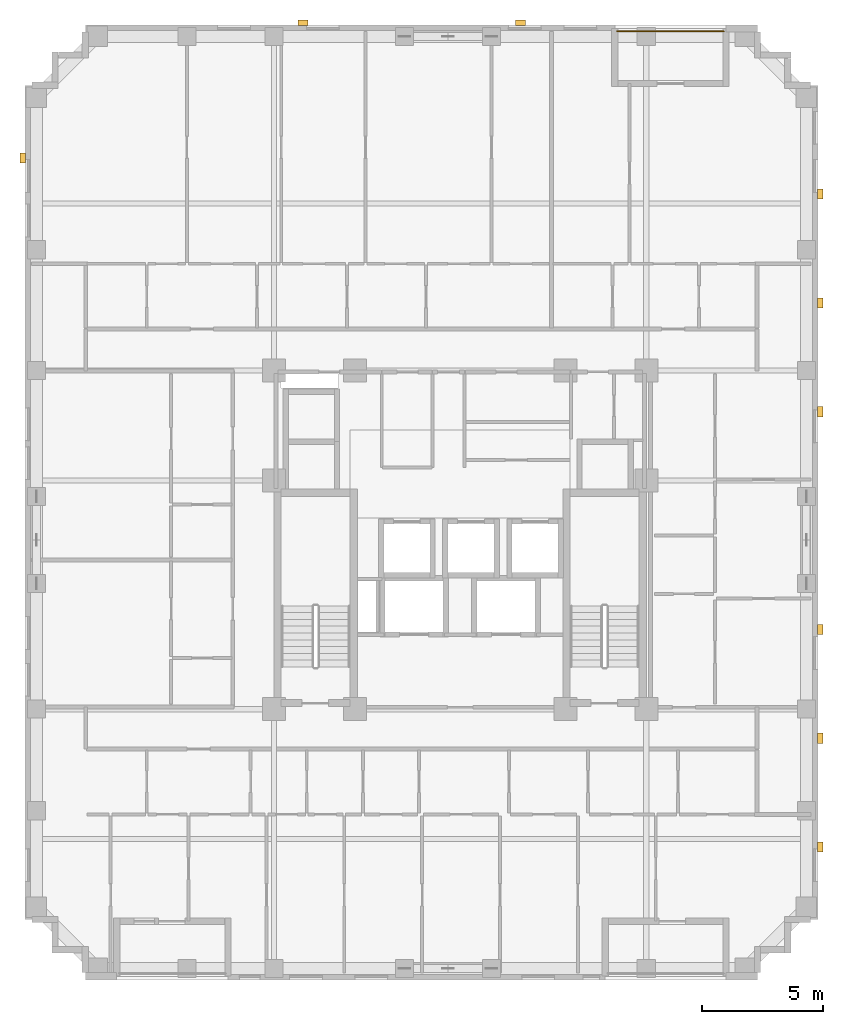
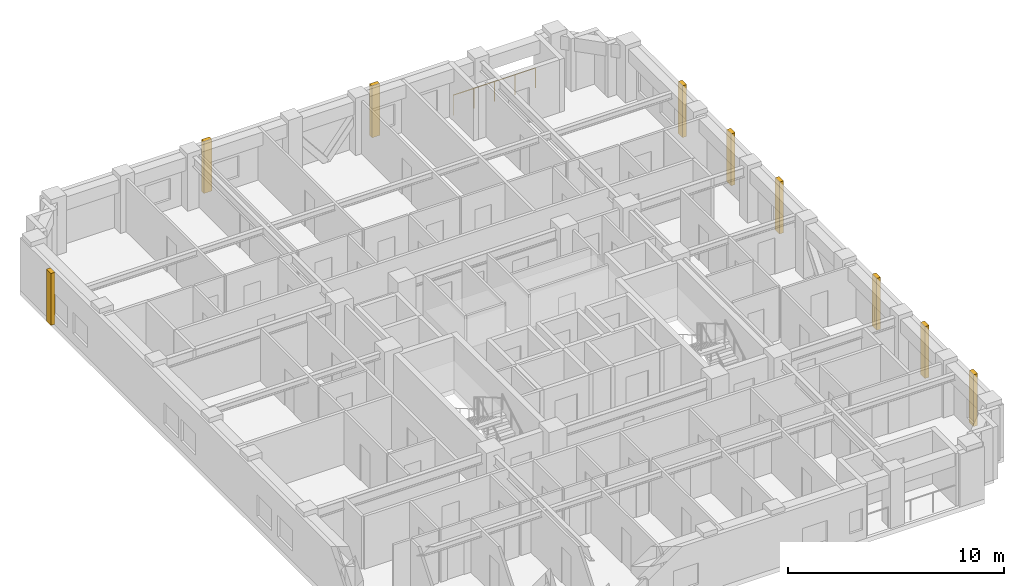
# One storey, part 12 of 12: 9 coverings, 1 railing.
"""IFC4 building model written with IfcOpenShell, lengths in metres."""

from ifc_helpers import new_model, si_unit, derived_unit, direction, frame, origin, origin_2d, place, context, subcontext, project, spatial, rectangle, circle, extrude, material, layer, layer_set, type_object, element, save


model = new_model("IFC4")

# Units and contexts
model_context = context("Model", 3, precision=1e-05, world=origin(), true_north=direction((0.0, 1.0)))
body_context = subcontext(model_context, "Body", "Model", "MODEL_VIEW")
ifc_project = project(units=[si_unit("LENGTHUNIT", "METRE"), si_unit("AREAUNIT", "SQUARE_METRE"), si_unit("VOLUMEUNIT", "CUBIC_METRE"), si_unit("PLANEANGLEUNIT", "RADIAN"), si_unit("MASSUNIT", "GRAM", prefix="KILO"), derived_unit("THERMALTRANSMITTANCEUNIT", [(si_unit("MASSUNIT", "GRAM", prefix="KILO"), 1), (si_unit("TIMEUNIT", "SECOND"), -3), (si_unit("THERMODYNAMICTEMPERATUREUNIT", "KELVIN"), -1)])], contexts=[model_context])

# Site, building, storey
site_placement = place(None, origin())
site = spatial("IfcSite", under=ifc_project, at=site_placement, CompositionType="ELEMENT")
building_placement = place(site_placement, origin())
building = spatial("IfcBuilding", under=site, at=building_placement, Name="Korrvale Station Residences", CompositionType="ELEMENT")
storey_placement = place(building_placement, frame((0.0, 0.0, 130.89990234375)))
storey = spatial("IfcBuildingStorey", under=building, at=storey_placement, Name="L37", CompositionType="ELEMENT", Elevation=130.89990234375)

# Coverings
ifc_material_1 = material(Name="Architectural precast concrete C45/55", Category="concrete")
ifc_layer = layer(ifc_material_1, 0.219970703125, Name="Architectural precast concrete C45/55")
ifc_layer_set = layer_set([ifc_layer], Name="Architectural precast concrete C45/55")
covering_type = type_object("IfcCoveringType", Name="COV-PIER-400", PredefinedType="CLADDING", material=ifc_layer_set)
for number, where, z_axis, x_axis, name in (
    (1, (19.0, 43.389892578125, 0.025146484375), (0.0, 0.0, 1.0), (1.0, 0.0, 0.0), "L37 Architectural Precast Facade Pier 01"),
    (2, (28.0, 43.389892578125, 0.025146484375), (0.0, 0.0, 1.0), (1.0, 0.0, 0.0), "L37 Architectural Precast Facade Pier 02"),
    (3, (7.409912109375, 37.800048828125, 0.025146484375), (0.0, 0.0, 1.0), (0.0, 1.0, 0.0), "L37 Architectural Precast Facade Pier 03"),
    (4, (40.389892578125, 36.300048828125, 0.025146484375), (0.0, 0.0, 1.0), (0.0, 1.0, 0.0), "L37 Architectural Precast Facade Pier 04"),
    (5, (40.389892578125, 31.800048828125, 0.025146484375), (0.0, 0.0, 1.0), (0.0, 1.0, 0.0), "L37 Architectural Precast Facade Pier 05"),
    (6, (40.389892578125, 27.300048828125, 0.025146484375), (0.0, 0.0, 1.0), (0.0, 1.0, 0.0), "L37 Architectural Precast Facade Pier 06"),
    (7, (40.389892578125, 18.300048828125, 0.025146484375), (0.0, 0.0, 1.0), (0.0, 1.0, 0.0), "L37 Architectural Precast Facade Pier 07"),
    (8, (40.389892578125, 13.800048828125, 0.025146484375), (0.0, 0.0, 1.0), (0.0, 1.0, 0.0), "L37 Architectural Precast Facade Pier 08"),
    (9, (40.389892578125, 9.300048828125, 0.025146484375), (0.0, 0.0, 1.0), (0.0, 1.0, 0.0), "L37 Architectural Precast Facade Pier 09"),
):
    element("IfcCovering", number, at=place(storey_placement, frame(where, z_axis=z_axis, x_axis=x_axis)), inside=storey, type_object=covering_type, Name=name, PredefinedType="CLADDING", context=body_context, shape_type="SweptSolid", body=[
        extrude(rectangle(XDim=0.419921875, YDim=0.219970703125, at=origin_2d()), origin(), (0.0, 0.0, 1.0), 2.93994140625),
    ])

# Railing
ifc_material_2 = material(Name="Powder-coated aluminium picket loggia guard", Category="aluminium")
railing_type = type_object("IfcRailingType", Name="RLG-BAL-1150", PredefinedType="GUARDRAIL", material=ifc_material_2)
railing_placement = place(storey_placement, frame((32.0, 43.030029296875, 0.0)))
element("IfcRailing", 10, at=railing_placement, inside=storey, type_object=railing_type, Name="L37 Recessed Loggia Guardrail BAL-L37-N1", PredefinedType="GUARDRAIL", context=body_context, shape_type="SweptSolid", body=[
    extrude(circle(Radius=0.02392578125, at=origin_2d()), frame((0.0, 0.0, 1.1259765625), z_axis=(1.0, 0.0, 0.0), x_axis=(0.0, 1.0, 0.0)), (0.0, 0.0, 1.0), 4.39990234375),
    extrude(circle(Radius=0.02099609375, at=origin_2d()), origin(), (0.0, 0.0, 1.0), 1.101806640625),
    extrude(circle(Radius=0.02099609375, at=origin_2d()), frame((1.10009765625, 0.0, 0.0)), (0.0, 0.0, 1.0), 1.101806640625),
    extrude(circle(Radius=0.02099609375, at=origin_2d()), frame((2.199951171875, 0.0, 0.0)), (0.0, 0.0, 1.0), 1.101806640625),
    extrude(circle(Radius=0.02099609375, at=origin_2d()), frame((3.2998046875, 0.0, 0.0)), (0.0, 0.0, 1.0), 1.101806640625),
    extrude(circle(Radius=0.02099609375, at=origin_2d()), frame((4.39990234375, 0.0, 0.0)), (0.0, 0.0, 1.0), 1.101806640625),
])

save(model, "model.ifc")
